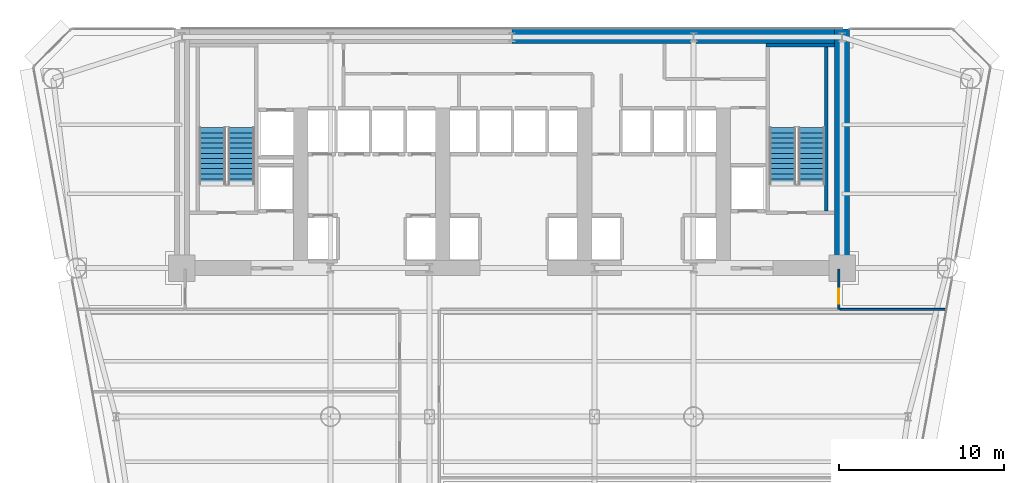
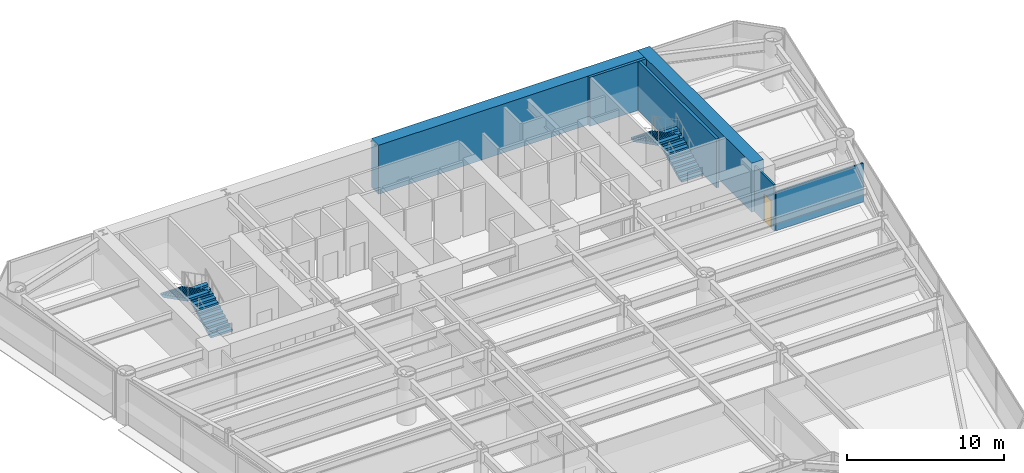
# One storey, part 10 of 14: 6 walls, 4 stair flights, 1 door, 1 opening, 2 elements without a shape of their own.
"""IFC4 building model written with IfcOpenShell, lengths in metres."""

from ifc_helpers import new_model, si_unit, direction, frame, frame_2d, origin, place, context, subcontext, project, spatial, polyline, rectangle, outline, extrude, source, transform, mapped, material, layer, layer_set, type_object, element, fill, aggregate, save


model = new_model("IFC4")

# Units and contexts
model_context = context("Model", 3, precision=1e-05, world=origin(), true_north=direction((0.0, 1.0)))
body_context = subcontext(model_context, "Body", "Model", "MODEL_VIEW")
ifc_project = project(units=[si_unit("LENGTHUNIT", "METRE"), si_unit("AREAUNIT", "SQUARE_METRE"), si_unit("VOLUMEUNIT", "CUBIC_METRE"), si_unit("PLANEANGLEUNIT", "RADIAN"), si_unit("MASSUNIT", "GRAM", prefix="KILO")], contexts=[model_context])

# Site, building, storey
site_placement = place(None, origin())
site = spatial("IfcSite", under=ifc_project, at=site_placement, CompositionType="ELEMENT")
building_placement = place(site_placement, origin())
building = spatial("IfcBuilding", under=site, at=building_placement, Name="Vaeldorn Concourse Tower", CompositionType="ELEMENT")
storey_placement = place(building_placement, frame((0.0, 0.0, 45.39990234375)))
storey = spatial("IfcBuildingStorey", under=building, at=storey_placement, Name="L11", CompositionType="ELEMENT", Elevation=45.39990234375)

# Walls
ifc_material_1 = material(Name="Concrete C60/75", Category="concrete")
ifc_layer_1 = layer(ifc_material_1, 0.89990234375)
ifc_layer_set_1 = layer_set([ifc_layer_1], Name="Concrete C60/75")
wall_type_1 = type_object("IfcWallType", Name="WL-CORE-900", PredefinedType="SHEAR", material=ifc_layer_set_1)
wall_1_placement = place(storey_placement, frame((34.001953125, 50.550048828125, 0.0), z_axis=(0.0, 0.0, 1.0), x_axis=(1.0, 0.0, 0.0)))
element("IfcWall", 1, at=wall_1_placement, inside=storey, type_object=wall_type_1, Name="Rear Core Shear Wall L11 N2", PredefinedType="SHEAR", context=body_context, shape_type="SweptSolid", body=[
    extrude(rectangle(XDim=19.5439453125, YDim=0.89990234375, at=frame_2d((9.77197265625, 0.0))), origin(), (0.0, 0.0, 1.0), 3.800048828125),
])
wall_2_placement = place(storey_placement, frame((54.0, 36.5, 0.0), z_axis=(0.0, 0.0, 1.0), x_axis=(0.0, 1.0, 0.0)))
element("IfcWall", 2, at=wall_2_placement, inside=storey, type_object=wall_type_1, Name="Rear Core Shear Wall L11 E1", PredefinedType="SHEAR", context=body_context, shape_type="SweptSolid", body=[
    extrude(rectangle(XDim=14.5, YDim=0.89990234375, at=frame_2d((7.25, 0.0))), origin(), (0.0, 0.0, 1.0), 3.800048828125),
])

# Wall, opening, door
ifc_material_2 = material(Name="Gypsum Board Partition", Category="gypsum")
ifc_layer_2 = layer(ifc_material_2, 0.1201171875)
ifc_layer_set_2 = layer_set([ifc_layer_2], Name="Gypsum Board Partition")
wall_type_2 = type_object("IfcWallType", Name="WL-PART-120", PredefinedType="PARTITIONING", material=ifc_layer_set_2)
wall_3_placement = place(storey_placement, frame((53.800048828125, 34.0, 0.0), z_axis=(0.0, 0.0, 1.0), x_axis=(0.0, 1.0, 0.0)))
wall_3 = element("IfcWall", 3, at=wall_3_placement, inside=storey, type_object=wall_type_2, Name="Interior Wall PW-L11-C3E", PredefinedType="PARTITIONING", context=body_context, shape_type="SweptSolid", body=[
    extrude(rectangle(XDim=2.43994140625, YDim=0.1201171875, at=frame_2d((1.219970703125, 0.0))), origin(), (0.0, 0.0, 1.0), 3.580078125),
])
opening_placement = place(wall_3_placement, frame((0.35009765625, 0.0, 0.0)))
opening = element("IfcOpeningElement", 4, at=opening_placement, cuts=wall_3, Name="Opening D-03", PredefinedType="OPENING", context=body_context, shape_type="SweptSolid", body=[
    extrude(rectangle(XDim=0.89990234375, YDim=2.14990234375, at=frame_2d((0.449951171875, 1.074951171875))), frame((0.0, 0.070068359375, 0.0), z_axis=(0.0, -1.0, 0.0), x_axis=(1.0, 0.0, 0.0)), (0.0, 0.0, 1.0), 0.14013671875),
])
ifc_material_3 = material(Name="Acoustic Bronze-Framed Glass Door", Category="glass")
door_type = type_object("IfcDoorType", Name="DR-INT-900", OperationType="NOTDEFINED", PredefinedType="DOOR", material=ifc_material_3)
shared_shape = source(origin(), body_context, "Body", "SweptSolid", [
    extrude(rectangle(XDim=0.89990234375, YDim=2.14990234375, at=frame_2d((0.449951171875, 1.074951171875))), frame((0.0, 0.02490234375, 0.0), z_axis=(0.0, -1.0, 0.0), x_axis=(1.0, 0.0, 0.0)), (0.0, 0.0, 1.0), 0.050048828125),
])
door_placement = place(opening_placement, origin())
door = element("IfcDoor", 5, at=door_placement, inside=storey, type_object=door_type, Name="Interior Door DR-L11-Z3NE", OperationType="SINGLE_SWING_RIGHT", OverallHeight=2.14990234375, OverallWidth=0.89990234375, PredefinedType="DOOR", context=body_context, shape_type="MappedRepresentation", body=[
    mapped(shared_shape, transform((0.0, 0.0, 0.0), scale=1.0)),
])
fill(opening, door)

# Walls
wall_4_placement = place(storey_placement, frame((53.860107421875, 34.0, 0.0), z_axis=(0.0, 0.0, 1.0), x_axis=(1.0, 0.0, 0.0)))
element("IfcWall", 6, at=wall_4_placement, inside=storey, type_object=wall_type_2, Name="Interior Wall PW-L11-Z3NEB", PredefinedType="PARTITIONING", context=body_context, shape_type="SweptSolid", body=[
    extrude(rectangle(XDim=6.4248046875, YDim=0.1201171875, at=frame_2d((3.21240234375, 0.0))), origin(), (0.0, 0.0, 1.0), 3.02001953125),
])
ifc_material_4 = material(Name="Concrete C50/60", Category="concrete")
ifc_layer_3 = layer(ifc_material_4, 0.199951171875)
ifc_layer_set_3 = layer_set([ifc_layer_3], Name="Concrete C50/60")
wall_type_3 = type_object("IfcWallType", Name="WL-SHAFT-200", PredefinedType="SOLIDWALL", material=ifc_layer_set_3)
wall_5_placement = place(storey_placement, frame((49.39990234375, 50.0, 0.0), z_axis=(0.0, 0.0, 1.0), x_axis=(1.0, 0.0, 0.0)))
element("IfcWall", 7, at=wall_5_placement, inside=storey, type_object=wall_type_3, Name="Stair Shaft Wall CW-L11-ST-2-N", PredefinedType="SOLIDWALL", context=body_context, shape_type="SweptSolid", body=[
    extrude(rectangle(XDim=4.150146484375, YDim=0.199951171875, at=frame_2d((2.0751953125, 0.0))), origin(), (0.0, 0.0, 1.0), 3.800048828125),
])
wall_6_placement = place(storey_placement, frame((53.050048828125, 39.9599609375, 0.0), z_axis=(0.0, 0.0, 1.0), x_axis=(0.0, 1.0, 0.0)))
element("IfcWall", 8, at=wall_6_placement, inside=storey, type_object=wall_type_3, Name="Stair Shaft Wall CW-L11-ST-2-E", PredefinedType="SOLIDWALL", context=body_context, shape_type="SweptSolid", body=[
    extrude(rectangle(XDim=9.929931640625, YDim=0.199951171875, at=frame_2d((4.96484375, 0.0))), origin(), (0.0, 0.0, 1.0), 3.800048828125),
])

# Stair, stair flights
ifc_material_5 = material(Name="Precast concrete C40/50", Category="concrete")
stair_type = type_object("IfcStairType", Name="STR-DOG-24x158", PredefinedType="HALF_TURN_STAIR", material=ifc_material_5)
stair_1_placement = place(storey_placement, origin())
stair_1 = element("IfcStair", 9, at=stair_1_placement, inside=storey, type_object=stair_type, Name="L11 West Core Exit Stair ST-1", PredefinedType="HALF_TURN_STAIR")
stair_flight_type = type_object("IfcStairFlightType", Name="STF-STR-12x158", PredefinedType="STRAIGHT", material=ifc_material_5)
stair_flight_1_placement = place(storey_placement, frame((17.60009765625, 41.60009765625, 0.0), z_axis=(0.0, 0.0, 1.0), x_axis=(0.0, 1.0, 0.0)))
stair_flight_1 = element("IfcStairFlight", 10, at=stair_flight_1_placement, type_object=stair_flight_type, Name="ST-1 flight 1", NumberOfRisers=12, NumberOfTreads=11, PredefinedType="STRAIGHT", RiserHeight=0.158333333, TreadLength=0.31, context=body_context, shape_type="SweptSolid", body=[
    extrude(outline(polyline([(0.0, 0.0), (0.0, 0.158447265625), (0.31005859375, 0.158447265625), (0.31005859375, 0.316650390625), (0.6201171875, 0.316650390625), (0.6201171875, 0.47509765625), (0.929931640625, 0.47509765625), (0.929931640625, 0.63330078125), (1.239990234375, 0.63330078125), (1.239990234375, 0.791748046875), (1.550048828125, 0.791748046875), (1.550048828125, 0.949951171875), (1.860107421875, 0.949951171875), (1.860107421875, 1.1083984375), (2.169921875, 1.1083984375), (2.169921875, 1.2666015625), (2.47998046875, 1.2666015625), (2.47998046875, 1.425048828125), (2.7900390625, 1.425048828125), (2.7900390625, 1.583251953125), (3.10009765625, 1.583251953125), (3.10009765625, 1.74169921875), (3.409912109375, 1.74169921875), (3.409912109375, 1.89990234375), (3.409912109375, 1.5732421875), (0.32958984375, 0.0), (0.0, 0.0)])), frame((0.0, 0.800048828125, 0.0), z_axis=(0.0, -1.0, 0.0), x_axis=(1.0, 0.0, 0.0)), (0.0, 0.0, 1.0), 1.60009765625),
])
stair_flight_2_placement = place(storey_placement, frame((15.85009765625, 45.010009765625, 1.900146484375), z_axis=(0.0, 0.0, 1.0), x_axis=(0.0, -1.0, 0.0)))
stair_flight_2 = element("IfcStairFlight", 11, at=stair_flight_2_placement, type_object=stair_flight_type, Name="ST-1 flight 2", NumberOfRisers=12, NumberOfTreads=11, PredefinedType="STRAIGHT", RiserHeight=0.158333333, TreadLength=0.31, context=body_context, shape_type="SweptSolid", body=[
    extrude(outline(polyline([(0.0, 0.0), (0.0, 0.158447265625), (0.31005859375, 0.158447265625), (0.31005859375, 0.316650390625), (0.6201171875, 0.316650390625), (0.6201171875, 0.47509765625), (0.929931640625, 0.47509765625), (0.929931640625, 0.63330078125), (1.239990234375, 0.63330078125), (1.239990234375, 0.791748046875), (1.550048828125, 0.791748046875), (1.550048828125, 0.949951171875), (1.860107421875, 0.949951171875), (1.860107421875, 1.1083984375), (2.169921875, 1.1083984375), (2.169921875, 1.2666015625), (2.47998046875, 1.2666015625), (2.47998046875, 1.425048828125), (2.7900390625, 1.425048828125), (2.7900390625, 1.583251953125), (3.10009765625, 1.583251953125), (3.10009765625, 1.74169921875), (3.409912109375, 1.74169921875), (3.409912109375, 1.89990234375), (3.409912109375, 1.5732421875), (0.32958984375, 0.0), (0.0, 0.0)])), frame((0.0, 0.800048828125, 0.0), z_axis=(0.0, -1.0, 0.0), x_axis=(1.0, 0.0, 0.0)), (0.0, 0.0, 1.0), 1.60009765625),
])
aggregate(stair_1, [stair_flight_1, stair_flight_2])

stair_2_placement = place(storey_placement, origin())
stair_2 = element("IfcStair", 12, at=stair_2_placement, inside=storey, type_object=stair_type, Name="L11 East Core Exit Stair ST-2", PredefinedType="HALF_TURN_STAIR")
stair_flight_3_placement = place(storey_placement, frame((52.14990234375, 41.60009765625, 0.0), z_axis=(0.0, 0.0, 1.0), x_axis=(0.0, 1.0, 0.0)))
stair_flight_3 = element("IfcStairFlight", 13, at=stair_flight_3_placement, type_object=stair_flight_type, Name="ST-2 flight 1", NumberOfRisers=12, NumberOfTreads=11, PredefinedType="STRAIGHT", RiserHeight=0.158333333, TreadLength=0.31, context=body_context, shape_type="SweptSolid", body=[
    extrude(outline(polyline([(0.0, 0.0), (0.0, 0.158447265625), (0.31005859375, 0.158447265625), (0.31005859375, 0.316650390625), (0.6201171875, 0.316650390625), (0.6201171875, 0.47509765625), (0.929931640625, 0.47509765625), (0.929931640625, 0.63330078125), (1.239990234375, 0.63330078125), (1.239990234375, 0.791748046875), (1.550048828125, 0.791748046875), (1.550048828125, 0.949951171875), (1.860107421875, 0.949951171875), (1.860107421875, 1.1083984375), (2.169921875, 1.1083984375), (2.169921875, 1.2666015625), (2.47998046875, 1.2666015625), (2.47998046875, 1.425048828125), (2.7900390625, 1.425048828125), (2.7900390625, 1.583251953125), (3.10009765625, 1.583251953125), (3.10009765625, 1.74169921875), (3.409912109375, 1.74169921875), (3.409912109375, 1.89990234375), (3.409912109375, 1.5732421875), (0.32958984375, 0.0), (0.0, 0.0)])), frame((0.0, 0.800048828125, 0.0), z_axis=(0.0, -1.0, 0.0), x_axis=(1.0, 0.0, 0.0)), (0.0, 0.0, 1.0), 1.60009765625),
])
stair_flight_4_placement = place(storey_placement, frame((50.39990234375, 45.010009765625, 1.900146484375), z_axis=(0.0, 0.0, 1.0), x_axis=(0.0, -1.0, 0.0)))
stair_flight_4 = element("IfcStairFlight", 14, at=stair_flight_4_placement, type_object=stair_flight_type, Name="ST-2 flight 2", NumberOfRisers=12, NumberOfTreads=11, PredefinedType="STRAIGHT", RiserHeight=0.158333333, TreadLength=0.31, context=body_context, shape_type="SweptSolid", body=[
    extrude(outline(polyline([(0.0, 0.0), (0.0, 0.158447265625), (0.31005859375, 0.158447265625), (0.31005859375, 0.316650390625), (0.6201171875, 0.316650390625), (0.6201171875, 0.47509765625), (0.929931640625, 0.47509765625), (0.929931640625, 0.63330078125), (1.239990234375, 0.63330078125), (1.239990234375, 0.791748046875), (1.550048828125, 0.791748046875), (1.550048828125, 0.949951171875), (1.860107421875, 0.949951171875), (1.860107421875, 1.1083984375), (2.169921875, 1.1083984375), (2.169921875, 1.2666015625), (2.47998046875, 1.2666015625), (2.47998046875, 1.425048828125), (2.7900390625, 1.425048828125), (2.7900390625, 1.583251953125), (3.10009765625, 1.583251953125), (3.10009765625, 1.74169921875), (3.409912109375, 1.74169921875), (3.409912109375, 1.89990234375), (3.409912109375, 1.5732421875), (0.32958984375, 0.0), (0.0, 0.0)])), frame((0.0, 0.800048828125, 0.0), z_axis=(0.0, -1.0, 0.0), x_axis=(1.0, 0.0, 0.0)), (0.0, 0.0, 1.0), 1.60009765625),
])
aggregate(stair_2, [stair_flight_3, stair_flight_4])

save(model, "model.ifc")
